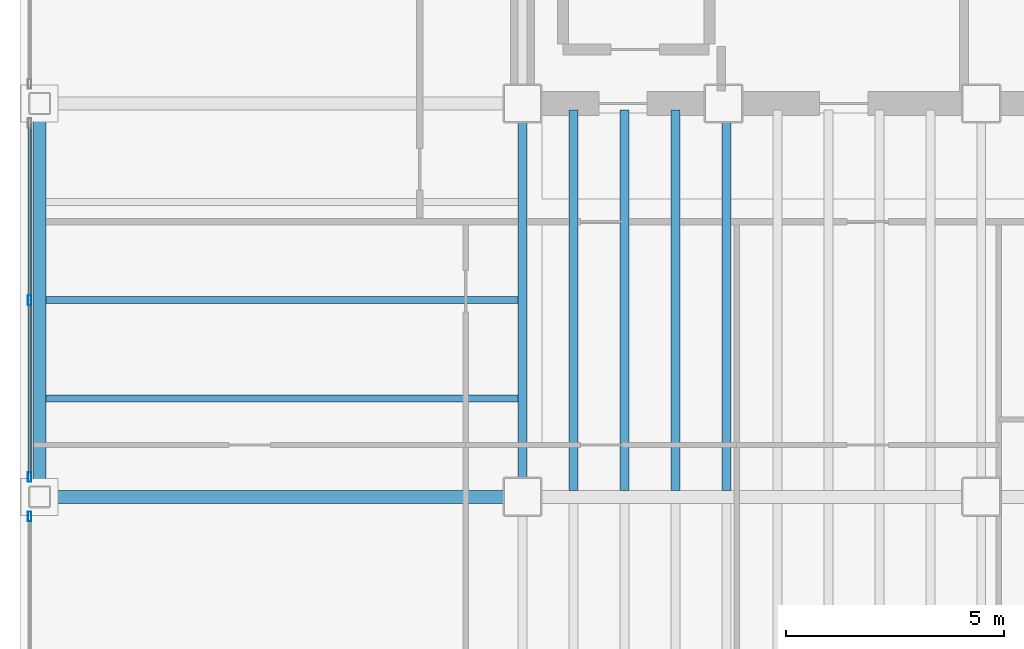
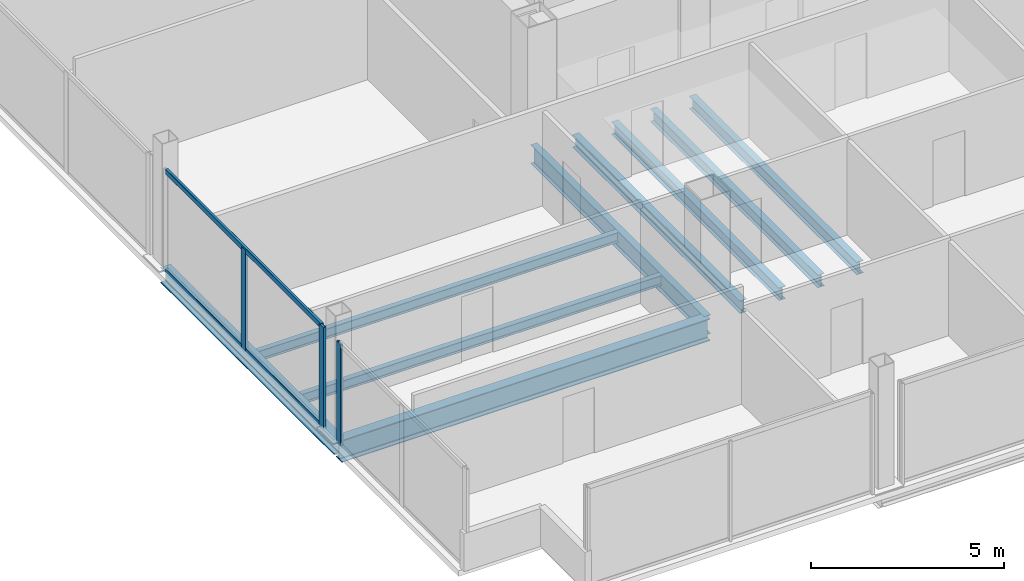
# One storey, part 4 of 22: 9 beams, 5 members, 2 elements without a shape of their own.
"""IFC4 building model written with IfcOpenShell, lengths in metres."""

from ifc_helpers import new_model, si_unit, direction, frame, origin, origin_2d, place, context, subcontext, project, spatial, hollow_rectangle, i_section, extrude, material, material_profile, profile_set, type_object, element, aggregate, save


model = new_model("IFC4")

# Units and contexts
model_context = context("Model", 3, precision=1e-05, world=origin(), true_north=direction((0.0, 1.0)))
body_context = subcontext(model_context, "Body", "Model", "MODEL_VIEW")
ifc_project = project(units=[si_unit("LENGTHUNIT", "METRE"), si_unit("AREAUNIT", "SQUARE_METRE"), si_unit("VOLUMEUNIT", "CUBIC_METRE"), si_unit("PLANEANGLEUNIT", "RADIAN"), si_unit("MASSUNIT", "GRAM", prefix="KILO")], contexts=[model_context])

# Site, building, storey
site_placement = place(None, origin())
site = spatial("IfcSite", under=ifc_project, at=site_placement, CompositionType="ELEMENT")
building_placement = place(site_placement, origin())
building = spatial("IfcBuilding", under=site, at=building_placement, Name="Noeulbin Bourse Tower", CompositionType="ELEMENT")
storey_placement = place(building_placement, frame((0.0, 0.0, 130.5)))
storey = spatial("IfcBuildingStorey", under=building, at=storey_placement, Name="L32", CompositionType="ELEMENT", Elevation=130.5)

# Beams
ifc_material_1 = material(Name="Steel S355", Category="steel")
ifc_material_profile_1 = material_profile(ifc_material_1, i_section(OverallWidth=0.199951171875, OverallDepth=0.60009765625, WebThickness=0.010986328125, FlangeThickness=0.01708984375, FilletRadius=0.02197265625, at=origin_2d()), Name="H-600x200x11x17", Category="LoadBearing")
ifc_profile_set_1 = profile_set([ifc_material_profile_1], Name="Steel S355")
beam_type_1 = type_object("IfcBeamType", Name="BM-GRD-600", PredefinedType="USERDEFINED", material=ifc_profile_set_1)
beam_1_placement = place(storey_placement, frame((13.5, 20.0, -0.47998046875), z_axis=(0.0, 1.0, 0.0), x_axis=(-1.0, 0.0, 0.0)))
element("IfcBeam", 1, at=beam_1_placement, inside=storey, type_object=beam_type_1, Name="Tower Primary Girder NS L32-1.2", ObjectType="GIRDER", PredefinedType="USERDEFINED", context=body_context, shape_type="SweptSolid", body=[
    extrude(i_section(OverallWidth=0.199951171875, OverallDepth=0.60009765625, WebThickness=0.010986328125, FlangeThickness=0.01708984375, FilletRadius=0.02197265625, at=origin_2d()), origin(), (0.0, 0.0, 1.0), 9.0),
])
ifc_material_profile_2 = material_profile(ifc_material_1, i_section(OverallWidth=0.300048828125, OverallDepth=0.699951171875, WebThickness=0.012939453125, FlangeThickness=0.02392578125, FilletRadius=0.02392578125, at=origin_2d()), Name="H-700x300x13x24", Category="LoadBearing")
ifc_profile_set_2 = profile_set([ifc_material_profile_2], Name="Steel S355")
beam_type_2 = type_object("IfcBeamType", Name="BM-GRD-700", PredefinedType="USERDEFINED", material=ifc_profile_set_2)
beam_2_placement = place(storey_placement, frame((2.449951171875, 20.0, -0.530029296875), z_axis=(1.0, 0.0, 0.0), x_axis=(0.0, 1.0, 0.0)))
element("IfcBeam", 2, at=beam_2_placement, inside=storey, type_object=beam_type_2, Name="Tower Primary Girder EW L32-1.1", ObjectType="GIRDER", PredefinedType="USERDEFINED", context=body_context, shape_type="SweptSolid", body=[
    extrude(i_section(OverallWidth=0.300048828125, OverallDepth=0.699951171875, WebThickness=0.012939453125, FlangeThickness=0.02392578125, FilletRadius=0.02392578125, at=origin_2d()), origin(), (0.0, 0.0, 1.0), 11.050048828125),
])
ifc_material_profile_3 = material_profile(ifc_material_1, i_section(OverallWidth=0.159912109375, OverallDepth=0.320068359375, WebThickness=0.006591796875, FlangeThickness=0.010009765625, FilletRadius=0.012939453125, at=origin_2d()), Name="H-320x160x6.5x10", Category="LoadBearing")
ifc_profile_set_3 = profile_set([ifc_material_profile_3], Name="Steel S355")
beam_type_3 = type_object("IfcBeamType", Name="BM-JST-320", PredefinedType="JOIST", material=ifc_profile_set_3)
for number, where, z_axis, x_axis, name in (
    (3, (2.60009765625, 22.25, -0.340087890625), (1.0, 0.0, 0.0), (0.0, 1.0, 0.0), "Wing Composite Joist L32-W47"),
    (4, (2.60009765625, 24.5, -0.340087890625), (1.0, 0.0, 0.0), (0.0, 1.0, 0.0), "Wing Composite Joist L32-W48"),
):
    element("IfcBeam", number, at=place(storey_placement, frame(where, z_axis=z_axis, x_axis=x_axis)), inside=storey, type_object=beam_type_3, Name=name, PredefinedType="JOIST", context=body_context, shape_type="SweptSolid", body=[
        extrude(i_section(OverallWidth=0.159912109375, OverallDepth=0.320068359375, WebThickness=0.006591796875, FlangeThickness=0.010009765625, FilletRadius=0.012939453125, at=origin_2d()), origin(), (0.0, 0.0, 1.0), 10.7998046875),
    ])
ifc_material_profile_4 = material_profile(ifc_material_1, i_section(OverallWidth=0.199951171875, OverallDepth=0.39990234375, WebThickness=0.008056640625, FlangeThickness=0.012939453125, FilletRadius=0.01611328125, at=origin_2d()), Name="H-400x200x8x13", Category="LoadBearing")
ifc_profile_set_4 = profile_set([ifc_material_profile_4], Name="Steel S355")
beam_type_4 = type_object("IfcBeamType", Name="BM-SEC-400", PredefinedType="BEAM", material=ifc_profile_set_4)
for number, where, z_axis, x_axis, name in (
    (5, (14.666748046875, 20.14990234375, -0.3798828125), (0.0, 1.0, 0.0), (-1.0, 0.0, 0.0), "Tower Composite Joist L32-02"),
    (6, (15.833251953125, 20.14990234375, -0.3798828125), (0.0, 1.0, 0.0), (-1.0, 0.0, 0.0), "Tower Composite Joist L32-04"),
    (7, (17.0, 20.14990234375, -0.3798828125), (0.0, 1.0, 0.0), (-1.0, 0.0, 0.0), "Tower Composite Joist L32-06"),
    (8, (18.166748046875, 20.14990234375, -0.3798828125), (0.0, 1.0, 0.0), (-1.0, 0.0, 0.0), "Tower Composite Joist L32-08"),
):
    element("IfcBeam", number, at=place(storey_placement, frame(where, z_axis=z_axis, x_axis=x_axis)), inside=storey, type_object=beam_type_4, Name=name, PredefinedType="BEAM", context=body_context, shape_type="SweptSolid", body=[
        extrude(i_section(OverallWidth=0.199951171875, OverallDepth=0.39990234375, WebThickness=0.008056640625, FlangeThickness=0.012939453125, FilletRadius=0.01611328125, at=origin_2d()), origin(), (0.0, 0.0, 1.0), 8.7001953125),
    ])
ifc_material_profile_5 = material_profile(ifc_material_1, i_section(OverallWidth=0.300048828125, OverallDepth=0.488037109375, WebThickness=0.010986328125, FlangeThickness=0.01806640625, FilletRadius=0.02197265625, at=origin_2d()), Name="H-488x300x11x18", Category="LoadBearing")
ifc_profile_set_5 = profile_set([ifc_material_profile_5], Name="Steel S355")
beam_type_5 = type_object("IfcBeamType", Name="BM-SPN-488", PredefinedType="SPANDREL", material=ifc_profile_set_5)
beam_3_placement = place(storey_placement, frame((2.449951171875, 20.0, -0.424072265625), z_axis=(0.0, 1.0, 0.0), x_axis=(-1.0, 0.0, 0.0)))
element("IfcBeam", 9, at=beam_3_placement, inside=storey, type_object=beam_type_5, Name="West Spandrel L32-1", PredefinedType="SPANDREL", context=body_context, shape_type="SweptSolid", body=[
    extrude(i_section(OverallWidth=0.300048828125, OverallDepth=0.488037109375, WebThickness=0.010986328125, FlangeThickness=0.01806640625, FilletRadius=0.02197265625, at=origin_2d()), origin(), (0.0, 0.0, 1.0), 9.0),
])

# Curtain wall, member
ifc_material_2 = material(Name="Dark Tinted Triple Glazing", Category="glass")
curtain_wall_type = type_object("IfcCurtainWallType", Name="CW-SYS-3", PredefinedType="NOTDEFINED", material=ifc_material_2)
curtain_wall_1_placement = place(storey_placement, origin())
curtain_wall_1 = element("IfcCurtainWall", 10, at=curtain_wall_1_placement, inside=storey, type_object=curtain_wall_type, Name="Unitised Curtain Wall CW-L32-W-S1", PredefinedType="NOTDEFINED")
ifc_material_3 = material(Name="Anodised Aluminium 6063-T6", Category="aluminium")
ifc_material_profile_6 = material_profile(ifc_material_3, hollow_rectangle(XDim=0.074951171875, YDim=0.219970703125, WallThickness=0.0048828125, InnerFilletRadius=0.00244140625, OuterFilletRadius=0.0048828125, at=origin_2d()), Name="ALU-MULL-75x220x5", Category="LoadBearing")
ifc_profile_set_6 = profile_set([ifc_material_profile_6], Name="Anodised Aluminium 6063-T6")
member_type_1 = type_object("IfcMemberType", Name="CW-SYS-3-MUL", PredefinedType="MULLION", material=ifc_profile_set_6)
member_1_placement = place(storey_placement, frame((2.219970703125, 19.550048828125, -0.02001953125), z_axis=(0.0, 0.0, 1.0), x_axis=(1.0, 0.0, 0.0)))
member_1 = element("IfcMember", 11, at=member_1_placement, type_object=member_type_1, Name="Curtain Wall Mullion CW-L32-W-S1-M02", PredefinedType="MULLION", context=body_context, shape_type="SweptSolid", body=[
    extrude(hollow_rectangle(XDim=0.074951171875, YDim=0.219970703125, WallThickness=0.0048828125, InnerFilletRadius=0.00244140625, OuterFilletRadius=0.0048828125, at=origin_2d()), origin(), (0.0, 0.0, 1.0), 3.219970703125),
])
aggregate(curtain_wall_1, [member_1])

# Curtain wall, members
curtain_wall_2_placement = place(storey_placement, origin())
curtain_wall_2 = element("IfcCurtainWall", 12, at=curtain_wall_2_placement, inside=storey, type_object=curtain_wall_type, Name="Unitised Curtain Wall CW-L32-W-S2", PredefinedType="NOTDEFINED")
member_2_placement = place(storey_placement, frame((2.219970703125, 20.449951171875, -0.02001953125), z_axis=(0.0, 0.0, 1.0), x_axis=(1.0, 0.0, 0.0)))
member_2 = element("IfcMember", 13, at=member_2_placement, type_object=member_type_1, Name="Curtain Wall Mullion CW-L32-W-S2-M00", PredefinedType="MULLION", context=body_context, shape_type="SweptSolid", body=[
    extrude(hollow_rectangle(XDim=0.074951171875, YDim=0.219970703125, WallThickness=0.0048828125, InnerFilletRadius=0.00244140625, OuterFilletRadius=0.0048828125, at=origin_2d()), origin(), (0.0, 0.0, 1.0), 3.219970703125),
])
member_3_placement = place(storey_placement, frame((2.219970703125, 24.5, -0.02001953125), z_axis=(0.0, 0.0, 1.0), x_axis=(1.0, 0.0, 0.0)))
member_3 = element("IfcMember", 14, at=member_3_placement, type_object=member_type_1, Name="Curtain Wall Mullion CW-L32-W-S2-M01", PredefinedType="MULLION", context=body_context, shape_type="SweptSolid", body=[
    extrude(hollow_rectangle(XDim=0.074951171875, YDim=0.219970703125, WallThickness=0.0048828125, InnerFilletRadius=0.00244140625, OuterFilletRadius=0.0048828125, at=origin_2d()), origin(), (0.0, 0.0, 1.0), 3.219970703125),
])
ifc_material_profile_7 = material_profile(ifc_material_3, hollow_rectangle(XDim=0.074951171875, YDim=0.159912109375, WallThickness=0.0048828125, InnerFilletRadius=0.00244140625, OuterFilletRadius=0.0048828125, at=origin_2d()), Name="ALU-TRAN-75x160x5", Category="LoadBearing")
ifc_profile_set_7 = profile_set([ifc_material_profile_7], Name="Anodised Aluminium 6063-T6")
member_type_2 = type_object("IfcMemberType", Name="CW-SYS-3-TRN", PredefinedType="USERDEFINED", material=ifc_profile_set_7)
member_4_placement = place(storey_placement, frame((2.219970703125, 20.4599609375, 0.010009765625), z_axis=(0.0, 1.0, 0.0), x_axis=(-1.0, 0.0, 0.0)))
member_4 = element("IfcMember", 15, at=member_4_placement, type_object=member_type_2, Name="Curtain Wall Transom CW-L32-W-S2-T00", ObjectType="TRANSOM", PredefinedType="USERDEFINED", context=body_context, shape_type="SweptSolid", body=[
    extrude(hollow_rectangle(XDim=0.074951171875, YDim=0.159912109375, WallThickness=0.0048828125, InnerFilletRadius=0.00244140625, OuterFilletRadius=0.0048828125, at=origin_2d()), origin(), (0.0, 0.0, 1.0), 8.080078125),
])
member_5_placement = place(storey_placement, frame((2.219970703125, 20.4599609375, 3.169921875), z_axis=(0.0, 1.0, 0.0), x_axis=(-1.0, 0.0, 0.0)))
member_5 = element("IfcMember", 16, at=member_5_placement, type_object=member_type_2, Name="Curtain Wall Transom CW-L32-W-S2-T01", ObjectType="TRANSOM", PredefinedType="USERDEFINED", context=body_context, shape_type="SweptSolid", body=[
    extrude(hollow_rectangle(XDim=0.074951171875, YDim=0.159912109375, WallThickness=0.0048828125, InnerFilletRadius=0.00244140625, OuterFilletRadius=0.0048828125, at=origin_2d()), origin(), (0.0, 0.0, 1.0), 8.080078125),
])
aggregate(curtain_wall_2, [member_2, member_3, member_4, member_5])

save(model, "model.ifc")
